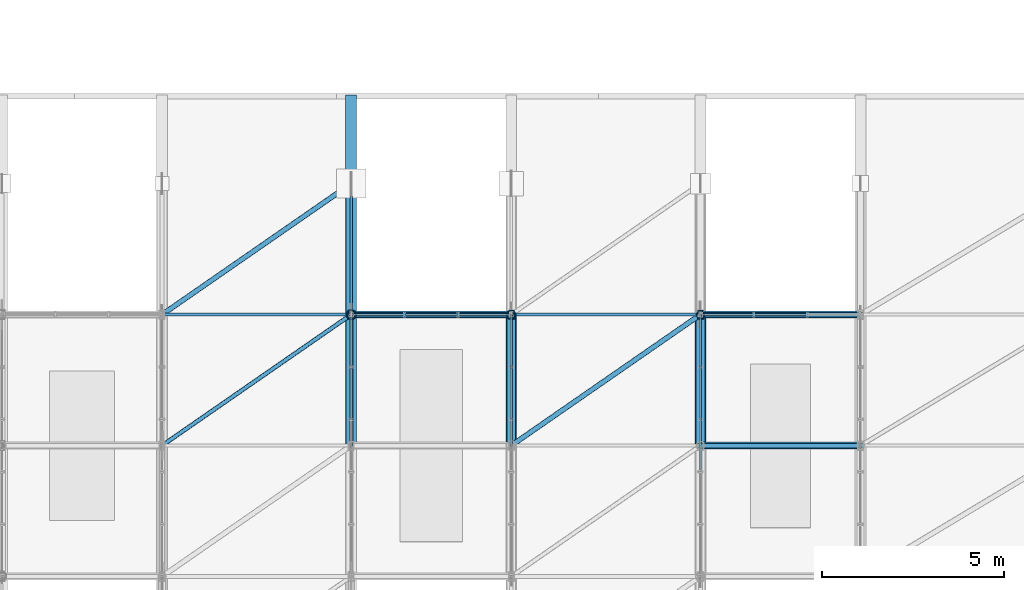
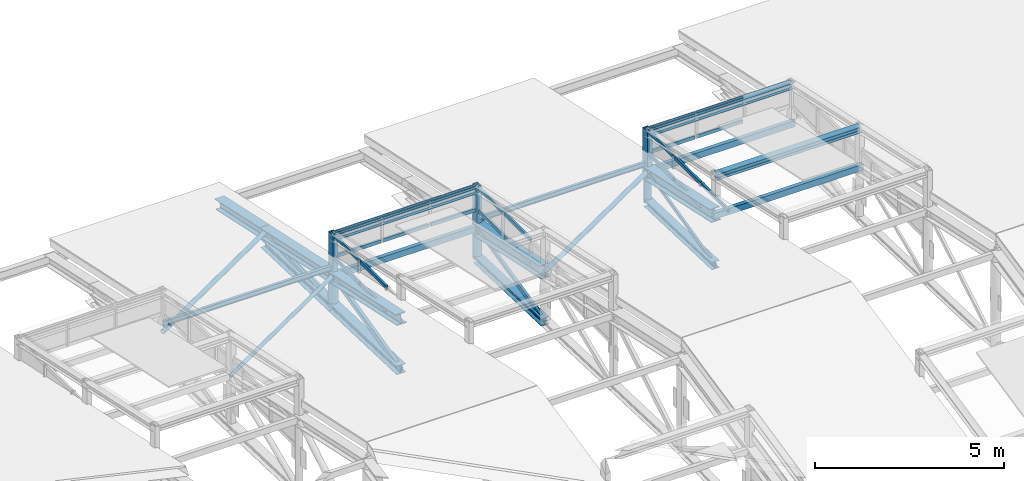
# One storey, part 41 of 124: 53 members, 5 elements without a shape of their own.
"""IFC4 building model written with IfcOpenShell, lengths in metres."""

from ifc_helpers import new_model, si_unit, direction, frame, origin, origin_2d, place, context, subcontext, project, spatial, hollow_rectangle, hollow_circle, i_section, extrude, material, layer, layer_set, material_profile, profile_set, type_object, element, aggregate, save


model = new_model("IFC4")

# Units and contexts
model_context = context("Model", 3, precision=1e-05, world=origin(), true_north=direction((0.0, 1.0)))
body_context = subcontext(model_context, "Body", "Model", "MODEL_VIEW")
ifc_project = project(units=[si_unit("LENGTHUNIT", "METRE"), si_unit("AREAUNIT", "SQUARE_METRE"), si_unit("VOLUMEUNIT", "CUBIC_METRE"), si_unit("PLANEANGLEUNIT", "RADIAN"), si_unit("MASSUNIT", "GRAM", prefix="KILO"), si_unit("THERMODYNAMICTEMPERATUREUNIT", "KELVIN"), si_unit("POWERUNIT", "WATT")], contexts=[model_context])

# Site, building, storey
site_placement = place(None, origin())
site = spatial("IfcSite", under=ifc_project, at=site_placement, CompositionType="ELEMENT")
building_placement = place(site_placement, origin())
building = spatial("IfcBuilding", under=site, at=building_placement, Name="Tavuni Mirador Residences", CompositionType="ELEMENT")
storey_placement = place(building_placement, frame((0.0, 0.0, 7.64990234375)))
storey = spatial("IfcBuildingStorey", under=building, at=storey_placement, Name="L02", CompositionType="ELEMENT", Elevation=7.64990234375)

# Curtain wall, members
ifc_material_1 = material(Name="Anodised aluminium", Category="aluminium")
ifc_layer = layer(ifc_material_1, 0.199951171875, Name="Anodised aluminium", Category="aluminium")
ifc_layer_set = layer_set([ifc_layer], Name="Anodised aluminium")
curtain_wall_type = type_object("IfcCurtainWallType", Name="CWT-HAL-01", PredefinedType="NOTDEFINED", material=ifc_layer_set)
curtain_wall_1_placement = place(storey_placement, origin())
curtain_wall_1 = element("IfcCurtainWall", 1, at=curtain_wall_1_placement, inside=storey, type_object=curtain_wall_type, Name="CW-HALL-MON-N2-W", PredefinedType="NOTDEFINED")
ifc_material_profile_1 = material_profile(ifc_material_1, hollow_rectangle(XDim=0.06005859375, YDim=0.110107421875, WallThickness=0.00390625, at=origin_2d()), Name="ALU 60x110x4.0", Category="aluminium")
ifc_profile_set_1 = profile_set([ifc_material_profile_1], Name="Anodised aluminium")
member_type_1 = type_object("IfcMemberType", Name="CWT-110", PredefinedType="USERDEFINED", material=ifc_profile_set_1)
member_1_placement = place(storey_placement, frame((54.39990234375, 94.35009765625, 1.205078125), z_axis=(0.0, 1.0, 0.0), x_axis=(-1.0, 0.0, 0.0)))
member_1 = element("IfcMember", 2, at=member_1_placement, type_object=member_type_1, Name="CW-06 transom 4.1", ObjectType="TRANSOM", PredefinedType="USERDEFINED", context=body_context, shape_type="SweptSolid", body=[
    extrude(hollow_rectangle(XDim=0.06005859375, YDim=0.110107421875, WallThickness=0.00390625, at=origin_2d()), origin(), (0.0, 0.0, 1.0), 1.3798828125),
])
member_2_placement = place(storey_placement, frame((54.39990234375, 94.35009765625, 1.93505859375), z_axis=(0.0, 1.0, 0.0), x_axis=(-1.0, 0.0, 0.0)))
member_2 = element("IfcMember", 3, at=member_2_placement, type_object=member_type_1, Name="CW-06 transom 4.2", ObjectType="TRANSOM", PredefinedType="USERDEFINED", context=body_context, shape_type="SweptSolid", body=[
    extrude(hollow_rectangle(XDim=0.06005859375, YDim=0.110107421875, WallThickness=0.00390625, at=origin_2d()), origin(), (0.0, 0.0, 1.0), 1.3798828125),
])
member_3_placement = place(storey_placement, frame((54.39990234375, 95.7900390625, 1.205078125), z_axis=(0.0, 1.0, 0.0), x_axis=(-1.0, 0.0, 0.0)))
member_3 = element("IfcMember", 4, at=member_3_placement, type_object=member_type_1, Name="CW-06 transom 5.1", ObjectType="TRANSOM", PredefinedType="USERDEFINED", context=body_context, shape_type="SweptSolid", body=[
    extrude(hollow_rectangle(XDim=0.06005859375, YDim=0.110107421875, WallThickness=0.00390625, at=origin_2d()), origin(), (0.0, 0.0, 1.0), 1.349853515625),
])
member_4_placement = place(storey_placement, frame((54.39990234375, 95.7900390625, 1.93505859375), z_axis=(0.0, 1.0, 0.0), x_axis=(-1.0, 0.0, 0.0)))
member_4 = element("IfcMember", 5, at=member_4_placement, type_object=member_type_1, Name="CW-06 transom 5.2", ObjectType="TRANSOM", PredefinedType="USERDEFINED", context=body_context, shape_type="SweptSolid", body=[
    extrude(hollow_rectangle(XDim=0.06005859375, YDim=0.110107421875, WallThickness=0.00390625, at=origin_2d()), origin(), (0.0, 0.0, 1.0), 1.349853515625),
])
aggregate(curtain_wall_1, [member_1, member_2, member_3, member_4])

curtain_wall_2_placement = place(storey_placement, origin())
curtain_wall_2 = element("IfcCurtainWall", 6, at=curtain_wall_2_placement, inside=storey, type_object=curtain_wall_type, Name="CW-HALL-MON-N2-E", PredefinedType="NOTDEFINED")
member_5_placement = place(storey_placement, frame((58.800048828125, 94.35009765625, 1.205078125), z_axis=(0.0, 1.0, 0.0), x_axis=(-1.0, 0.0, 0.0)))
member_5 = element("IfcMember", 7, at=member_5_placement, type_object=member_type_1, Name="CW-06 transom 4.1", ObjectType="TRANSOM", PredefinedType="USERDEFINED", context=body_context, shape_type="SweptSolid", body=[
    extrude(hollow_rectangle(XDim=0.06005859375, YDim=0.110107421875, WallThickness=0.00390625, at=origin_2d()), origin(), (0.0, 0.0, 1.0), 1.3798828125),
])
member_6_placement = place(storey_placement, frame((58.800048828125, 94.35009765625, 1.93505859375), z_axis=(0.0, 1.0, 0.0), x_axis=(-1.0, 0.0, 0.0)))
member_6 = element("IfcMember", 8, at=member_6_placement, type_object=member_type_1, Name="CW-06 transom 4.2", ObjectType="TRANSOM", PredefinedType="USERDEFINED", context=body_context, shape_type="SweptSolid", body=[
    extrude(hollow_rectangle(XDim=0.06005859375, YDim=0.110107421875, WallThickness=0.00390625, at=origin_2d()), origin(), (0.0, 0.0, 1.0), 1.3798828125),
])
member_7_placement = place(storey_placement, frame((58.800048828125, 95.7900390625, 1.205078125), z_axis=(0.0, 1.0, 0.0), x_axis=(-1.0, 0.0, 0.0)))
member_7 = element("IfcMember", 9, at=member_7_placement, type_object=member_type_1, Name="CW-06 transom 5.1", ObjectType="TRANSOM", PredefinedType="USERDEFINED", context=body_context, shape_type="SweptSolid", body=[
    extrude(hollow_rectangle(XDim=0.06005859375, YDim=0.110107421875, WallThickness=0.00390625, at=origin_2d()), origin(), (0.0, 0.0, 1.0), 1.349853515625),
])
member_8_placement = place(storey_placement, frame((58.800048828125, 95.7900390625, 1.93505859375), z_axis=(0.0, 1.0, 0.0), x_axis=(-1.0, 0.0, 0.0)))
member_8 = element("IfcMember", 10, at=member_8_placement, type_object=member_type_1, Name="CW-06 transom 5.2", ObjectType="TRANSOM", PredefinedType="USERDEFINED", context=body_context, shape_type="SweptSolid", body=[
    extrude(hollow_rectangle(XDim=0.06005859375, YDim=0.110107421875, WallThickness=0.00390625, at=origin_2d()), origin(), (0.0, 0.0, 1.0), 1.349853515625),
])
aggregate(curtain_wall_2, [member_5, member_6, member_7, member_8])

curtain_wall_3_placement = place(storey_placement, origin())
curtain_wall_3 = element("IfcCurtainWall", 11, at=curtain_wall_3_placement, inside=storey, type_object=curtain_wall_type, Name="CW-HALL-MON-N2-END", PredefinedType="NOTDEFINED")
member_9_placement = place(storey_placement, frame((54.4599609375, 97.199951171875, 1.205078125), z_axis=(1.0, 0.0, 0.0), x_axis=(0.0, 1.0, 0.0)))
member_9 = element("IfcMember", 12, at=member_9_placement, type_object=member_type_1, Name="CW-06 transom 1.1", ObjectType="TRANSOM", PredefinedType="USERDEFINED", context=body_context, shape_type="SweptSolid", body=[
    extrude(hollow_rectangle(XDim=0.06005859375, YDim=0.110107421875, WallThickness=0.00390625, at=origin_2d()), origin(), (0.0, 0.0, 1.0), 1.376708984375),
])
member_10_placement = place(storey_placement, frame((54.4599609375, 97.199951171875, 1.93505859375), z_axis=(1.0, 0.0, 0.0), x_axis=(0.0, 1.0, 0.0)))
member_10 = element("IfcMember", 13, at=member_10_placement, type_object=member_type_1, Name="CW-06 transom 1.2", ObjectType="TRANSOM", PredefinedType="USERDEFINED", context=body_context, shape_type="SweptSolid", body=[
    extrude(hollow_rectangle(XDim=0.06005859375, YDim=0.110107421875, WallThickness=0.00390625, at=origin_2d()), origin(), (0.0, 0.0, 1.0), 1.376708984375),
])
member_11_placement = place(storey_placement, frame((55.896728515625, 97.199951171875, 1.205078125), z_axis=(1.0, 0.0, 0.0), x_axis=(0.0, 1.0, 0.0)))
member_11 = element("IfcMember", 14, at=member_11_placement, type_object=member_type_1, Name="CW-06 transom 2.1", ObjectType="TRANSOM", PredefinedType="USERDEFINED", context=body_context, shape_type="SweptSolid", body=[
    extrude(hollow_rectangle(XDim=0.06005859375, YDim=0.110107421875, WallThickness=0.00390625, at=origin_2d()), origin(), (0.0, 0.0, 1.0), 1.406494140625),
])
member_12_placement = place(storey_placement, frame((55.896728515625, 97.199951171875, 1.93505859375), z_axis=(1.0, 0.0, 0.0), x_axis=(0.0, 1.0, 0.0)))
member_12 = element("IfcMember", 15, at=member_12_placement, type_object=member_type_1, Name="CW-06 transom 2.2", ObjectType="TRANSOM", PredefinedType="USERDEFINED", context=body_context, shape_type="SweptSolid", body=[
    extrude(hollow_rectangle(XDim=0.06005859375, YDim=0.110107421875, WallThickness=0.00390625, at=origin_2d()), origin(), (0.0, 0.0, 1.0), 1.406494140625),
])
member_13_placement = place(storey_placement, frame((57.36328125, 97.199951171875, 1.205078125), z_axis=(1.0, 0.0, 0.0), x_axis=(0.0, 1.0, 0.0)))
member_13 = element("IfcMember", 16, at=member_13_placement, type_object=member_type_1, Name="CW-06 transom 3.1", ObjectType="TRANSOM", PredefinedType="USERDEFINED", context=body_context, shape_type="SweptSolid", body=[
    extrude(hollow_rectangle(XDim=0.06005859375, YDim=0.110107421875, WallThickness=0.00390625, at=origin_2d()), origin(), (0.0, 0.0, 1.0), 1.376708984375),
])
member_14_placement = place(storey_placement, frame((57.36328125, 97.199951171875, 1.93505859375), z_axis=(1.0, 0.0, 0.0), x_axis=(0.0, 1.0, 0.0)))
member_14 = element("IfcMember", 17, at=member_14_placement, type_object=member_type_1, Name="CW-06 transom 3.2", ObjectType="TRANSOM", PredefinedType="USERDEFINED", context=body_context, shape_type="SweptSolid", body=[
    extrude(hollow_rectangle(XDim=0.06005859375, YDim=0.110107421875, WallThickness=0.00390625, at=origin_2d()), origin(), (0.0, 0.0, 1.0), 1.376708984375),
])
aggregate(curtain_wall_3, [member_9, member_10, member_11, member_12, member_13, member_14])

curtain_wall_4_placement = place(storey_placement, origin())
curtain_wall_4 = element("IfcCurtainWall", 18, at=curtain_wall_4_placement, inside=storey, type_object=curtain_wall_type, Name="CW-HALL-MON-N3-W", PredefinedType="NOTDEFINED")
member_15_placement = place(storey_placement, frame((64.0, 92.909912109375, 1.93505859375), z_axis=(0.0, 1.0, 0.0), x_axis=(-1.0, 0.0, 0.0)))
member_15 = element("IfcMember", 19, at=member_15_placement, type_object=member_type_1, Name="CW-06 transom 3.2", ObjectType="TRANSOM", PredefinedType="USERDEFINED", context=body_context, shape_type="SweptSolid", body=[
    extrude(hollow_rectangle(XDim=0.06005859375, YDim=0.110107421875, WallThickness=0.00390625, at=origin_2d()), origin(), (0.0, 0.0, 1.0), 1.380126953125),
])
member_16_placement = place(storey_placement, frame((64.0, 94.35009765625, 1.205078125), z_axis=(0.0, 1.0, 0.0), x_axis=(-1.0, 0.0, 0.0)))
member_16 = element("IfcMember", 20, at=member_16_placement, type_object=member_type_1, Name="CW-06 transom 4.1", ObjectType="TRANSOM", PredefinedType="USERDEFINED", context=body_context, shape_type="SweptSolid", body=[
    extrude(hollow_rectangle(XDim=0.06005859375, YDim=0.110107421875, WallThickness=0.00390625, at=origin_2d()), origin(), (0.0, 0.0, 1.0), 1.3798828125),
])
member_17_placement = place(storey_placement, frame((64.0, 94.35009765625, 1.93505859375), z_axis=(0.0, 1.0, 0.0), x_axis=(-1.0, 0.0, 0.0)))
member_17 = element("IfcMember", 21, at=member_17_placement, type_object=member_type_1, Name="CW-06 transom 4.2", ObjectType="TRANSOM", PredefinedType="USERDEFINED", context=body_context, shape_type="SweptSolid", body=[
    extrude(hollow_rectangle(XDim=0.06005859375, YDim=0.110107421875, WallThickness=0.00390625, at=origin_2d()), origin(), (0.0, 0.0, 1.0), 1.3798828125),
])
member_18_placement = place(storey_placement, frame((64.0, 95.7900390625, 1.205078125), z_axis=(0.0, 1.0, 0.0), x_axis=(-1.0, 0.0, 0.0)))
member_18 = element("IfcMember", 22, at=member_18_placement, type_object=member_type_1, Name="CW-06 transom 5.1", ObjectType="TRANSOM", PredefinedType="USERDEFINED", context=body_context, shape_type="SweptSolid", body=[
    extrude(hollow_rectangle(XDim=0.06005859375, YDim=0.110107421875, WallThickness=0.00390625, at=origin_2d()), origin(), (0.0, 0.0, 1.0), 1.349853515625),
])
member_19_placement = place(storey_placement, frame((64.0, 95.7900390625, 1.93505859375), z_axis=(0.0, 1.0, 0.0), x_axis=(-1.0, 0.0, 0.0)))
member_19 = element("IfcMember", 23, at=member_19_placement, type_object=member_type_1, Name="CW-06 transom 5.2", ObjectType="TRANSOM", PredefinedType="USERDEFINED", context=body_context, shape_type="SweptSolid", body=[
    extrude(hollow_rectangle(XDim=0.06005859375, YDim=0.110107421875, WallThickness=0.00390625, at=origin_2d()), origin(), (0.0, 0.0, 1.0), 1.349853515625),
])
aggregate(curtain_wall_4, [member_15, member_16, member_17, member_18, member_19])

curtain_wall_5_placement = place(storey_placement, origin())
curtain_wall_5 = element("IfcCurtainWall", 24, at=curtain_wall_5_placement, inside=storey, type_object=curtain_wall_type, Name="CW-HALL-MON-N3-END", PredefinedType="NOTDEFINED")
member_20_placement = place(storey_placement, frame((64.06005859375, 97.199951171875, 1.205078125), z_axis=(1.0, 0.0, 0.0), x_axis=(0.0, 1.0, 0.0)))
member_20 = element("IfcMember", 25, at=member_20_placement, type_object=member_type_1, Name="CW-06 transom 1.1", ObjectType="TRANSOM", PredefinedType="USERDEFINED", context=body_context, shape_type="SweptSolid", body=[
    extrude(hollow_rectangle(XDim=0.06005859375, YDim=0.110107421875, WallThickness=0.00390625, at=origin_2d()), origin(), (0.0, 0.0, 1.0), 1.376708984375),
])
member_21_placement = place(storey_placement, frame((64.06005859375, 97.199951171875, 1.93505859375), z_axis=(1.0, 0.0, 0.0), x_axis=(0.0, 1.0, 0.0)))
member_21 = element("IfcMember", 26, at=member_21_placement, type_object=member_type_1, Name="CW-06 transom 1.2", ObjectType="TRANSOM", PredefinedType="USERDEFINED", context=body_context, shape_type="SweptSolid", body=[
    extrude(hollow_rectangle(XDim=0.06005859375, YDim=0.110107421875, WallThickness=0.00390625, at=origin_2d()), origin(), (0.0, 0.0, 1.0), 1.376708984375),
])
member_22_placement = place(storey_placement, frame((65.49658203125, 97.199951171875, 1.205078125), z_axis=(1.0, 0.0, 0.0), x_axis=(0.0, 1.0, 0.0)))
member_22 = element("IfcMember", 27, at=member_22_placement, type_object=member_type_1, Name="CW-06 transom 2.1", ObjectType="TRANSOM", PredefinedType="USERDEFINED", context=body_context, shape_type="SweptSolid", body=[
    extrude(hollow_rectangle(XDim=0.06005859375, YDim=0.110107421875, WallThickness=0.00390625, at=origin_2d()), origin(), (0.0, 0.0, 1.0), 1.40673828125),
])
member_23_placement = place(storey_placement, frame((65.49658203125, 97.199951171875, 1.93505859375), z_axis=(1.0, 0.0, 0.0), x_axis=(0.0, 1.0, 0.0)))
member_23 = element("IfcMember", 28, at=member_23_placement, type_object=member_type_1, Name="CW-06 transom 2.2", ObjectType="TRANSOM", PredefinedType="USERDEFINED", context=body_context, shape_type="SweptSolid", body=[
    extrude(hollow_rectangle(XDim=0.06005859375, YDim=0.110107421875, WallThickness=0.00390625, at=origin_2d()), origin(), (0.0, 0.0, 1.0), 1.40673828125),
])
aggregate(curtain_wall_5, [member_20, member_21, member_22, member_23])

# Members
ifc_material_2 = material(Name="Structural steel S355", Category="steel")
ifc_material_profile_2 = material_profile(ifc_material_2, hollow_circle(Radius=0.05712890625, WallThickness=0.00634765625, at=origin_2d()), Name="CHS 114.3x6.3", Category="steel")
ifc_profile_set_2 = profile_set([ifc_material_profile_2], Name="Structural steel S355")
member_type_2 = type_object("IfcMemberType", Name="MT-BR-CHS114", PredefinedType="BRACE", material=ifc_profile_set_2)
member_24_placement = place(storey_placement, frame((49.199951171875, 93.60009765625, 1.380126953125), z_axis=(0.816093743488, 0.564970291926, -0.121653487749), x_axis=(-0.569197934703, 0.822200529755, 0.0)))
element("IfcMember", 29, at=member_24_placement, inside=storey, type_object=member_type_2, Name="HALL-RB-2-07", PredefinedType="BRACE", context=body_context, shape_type="SweptSolid", body=[
    extrude(hollow_circle(Radius=0.05712890625, WallThickness=0.00634765625, at=origin_2d()), origin(), (0.0, 0.0, 1.0), 6.371826171875),
])
ifc_material_profile_3 = material_profile(ifc_material_2, hollow_circle(Radius=0.06982421875, WallThickness=0.008056640625, at=origin_2d()), Name="CHS 139.7x8.0", Category="steel")
ifc_profile_set_3 = profile_set([ifc_material_profile_3], Name="Structural steel S355")
member_type_3 = type_object("IfcMemberType", Name="MT-BR-CHS139", PredefinedType="BRACE", material=ifc_profile_set_3)
for number, where, z_axis, x_axis, name in (
    (30, (49.199951171875, 97.199951171875, 0.60498046875), (0.81607988035, 0.564999010077, -0.12161310579), (-0.569224029849, 0.822182463838, 0.0), "HALL-RB-2-08"),
    (31, (58.800048828125, 93.60009765625, 1.380126953125), (0.816093743488, 0.564970291926, -0.121653487749), (-0.569197934703, 0.822200529755, 0.0), "HALL-RB-3-07"),
):
    element("IfcMember", number, at=place(storey_placement, frame(where, z_axis=z_axis, x_axis=x_axis)), inside=storey, type_object=member_type_3, Name=name, PredefinedType="BRACE", context=body_context, shape_type="SweptSolid", body=[
        extrude(hollow_circle(Radius=0.06982421875, WallThickness=0.008056640625, at=origin_2d()), origin(), (0.0, 0.0, 1.0), 6.371826171875),
    ])
ifc_material_profile_4 = material_profile(ifc_material_2, hollow_rectangle(XDim=0.06005859375, YDim=0.10009765625, WallThickness=0.0048828125, at=origin_2d()), Name="RHS 100x60x5.0", Category="steel")
ifc_profile_set_4 = profile_set([ifc_material_profile_4], Name="Structural steel S355")
member_type_4 = type_object("IfcMemberType", Name="MT-BR-RHS100", PredefinedType="BRACE", material=ifc_profile_set_4)
member_25_placement = place(storey_placement, frame((64.0, 93.60009765625, -0.25), z_axis=(0.0, 0.972935623557, 0.231076334601), x_axis=(-1.0, 0.0, 0.0)))
element("IfcMember", 32, at=member_25_placement, inside=storey, type_object=member_type_4, Name="Roof truss TR-6 web diagonal 7", PredefinedType="BRACE", context=body_context, shape_type="SweptSolid", body=[
    extrude(hollow_rectangle(XDim=0.06005859375, YDim=0.10009765625, WallThickness=0.0048828125, at=origin_2d()), origin(), (0.0, 0.0, 1.0), 3.699951171875),
])
ifc_material_profile_5 = material_profile(ifc_material_2, hollow_rectangle(XDim=0.080078125, YDim=0.1201171875, WallThickness=0.00634765625, at=origin_2d()), Name="RHS 120x80x6.3", Category="steel")
ifc_profile_set_5 = profile_set([ifc_material_profile_5], Name="Structural steel S355")
member_type_5 = type_object("IfcMemberType", Name="MT-BR-RHS120", PredefinedType="BRACE", material=ifc_profile_set_5)
member_26_placement = place(storey_placement, frame((54.39990234375, 97.199951171875, -0.375), z_axis=(0.0, 0.998381455169, 0.05687240081), x_axis=(-1.0, 0.0, 0.0)))
element("IfcMember", 33, at=member_26_placement, inside=storey, type_object=member_type_5, Name="Roof truss TR-4 web diagonal 8", PredefinedType="BRACE", context=body_context, shape_type="SweptSolid", body=[
    extrude(hollow_rectangle(XDim=0.080078125, YDim=0.1201171875, WallThickness=0.00634765625, at=origin_2d()), origin(), (0.0, 0.0, 1.0), 3.60595703125),
])
member_27_placement = place(storey_placement, frame((58.800048828125, 93.60009765625, -0.25), z_axis=(0.0, 0.972935623557, 0.231076334601), x_axis=(-1.0, 0.0, 0.0)))
element("IfcMember", 34, at=member_27_placement, inside=storey, type_object=member_type_5, Name="Roof truss TR-5 web diagonal 7", PredefinedType="BRACE", context=body_context, shape_type="SweptSolid", body=[
    extrude(hollow_rectangle(XDim=0.080078125, YDim=0.1201171875, WallThickness=0.00634765625, at=origin_2d()), origin(), (0.0, 0.0, 1.0), 3.699951171875),
])
ifc_material_profile_6 = material_profile(ifc_material_2, hollow_rectangle(XDim=0.10009765625, YDim=0.14990234375, WallThickness=0.008056640625, at=origin_2d()), Name="RHS 150x100x8.0", Category="steel")
ifc_profile_set_6 = profile_set([ifc_material_profile_6], Name="Structural steel S355")
member_type_6 = type_object("IfcMemberType", Name="MT-BR-RHS150", PredefinedType="BRACE", material=ifc_profile_set_6)
member_28_placement = place(storey_placement, frame((54.39990234375, 93.60009765625, -0.25), z_axis=(0.0, 0.972935623557, 0.231076334601), x_axis=(-1.0, 0.0, 0.0)))
element("IfcMember", 35, at=member_28_placement, inside=storey, type_object=member_type_6, Name="Roof truss TR-4 web diagonal 7", PredefinedType="BRACE", context=body_context, shape_type="SweptSolid", body=[
    extrude(hollow_rectangle(XDim=0.10009765625, YDim=0.14990234375, WallThickness=0.008056640625, at=origin_2d()), origin(), (0.0, 0.0, 1.0), 3.699951171875),
])
ifc_material_profile_7 = material_profile(ifc_material_2, i_section(OverallWidth=0.239990234375, OverallDepth=0.22998046875, WebThickness=0.007568359375, FlangeThickness=0.011962890625, FilletRadius=0.02099609375, at=origin_2d()), Name="HEA 240", Category="steel")
ifc_profile_set_7 = profile_set([ifc_material_profile_7], Name="Structural steel S355")
member_type_7 = type_object("IfcMemberType", Name="MT-CH-HEA240", PredefinedType="CHORD", material=ifc_profile_set_7)
for number, where, z_axis, x_axis, name in (
    (36, (58.800048828125, 93.60009765625, -0.25), (0.0, 0.999397679205, -0.034702720363), (-1.0, 0.0, 0.0), "Roof truss TR-5 bottom chord 7"),
    (37, (64.0, 93.60009765625, -0.25), (0.0, 0.999397679205, -0.034702720363), (-1.0, 0.0, 0.0), "Roof truss TR-6 bottom chord 7"),
):
    element("IfcMember", number, at=place(storey_placement, frame(where, z_axis=z_axis, x_axis=x_axis)), inside=storey, type_object=member_type_7, Name=name, PredefinedType="CHORD", context=body_context, shape_type="SweptSolid", body=[
        extrude(i_section(OverallWidth=0.239990234375, OverallDepth=0.22998046875, WebThickness=0.007568359375, FlangeThickness=0.011962890625, FilletRadius=0.02099609375, at=origin_2d()), origin(), (0.0, 0.0, 1.0), 3.60205078125),
    ])
ifc_material_profile_8 = material_profile(ifc_material_2, i_section(OverallWidth=0.280029296875, OverallDepth=0.27001953125, WebThickness=0.008056640625, FlangeThickness=0.012939453125, FilletRadius=0.02392578125, at=origin_2d()), Name="HEA 280", Category="steel")
ifc_profile_set_8 = profile_set([ifc_material_profile_8], Name="Structural steel S355")
member_type_8 = type_object("IfcMemberType", Name="MT-CH-HEA280", PredefinedType="CHORD", material=ifc_profile_set_8)
member_29_placement = place(storey_placement, frame((54.39990234375, 93.60009765625, -0.25), z_axis=(0.0, 0.999397679205, -0.034702720363), x_axis=(-1.0, 0.0, 0.0)))
element("IfcMember", 38, at=member_29_placement, inside=storey, type_object=member_type_8, Name="Roof truss TR-4 bottom chord 7", PredefinedType="CHORD", context=body_context, shape_type="SweptSolid", body=[
    extrude(i_section(OverallWidth=0.280029296875, OverallDepth=0.27001953125, WebThickness=0.008056640625, FlangeThickness=0.012939453125, FilletRadius=0.02392578125, at=origin_2d()), origin(), (0.0, 0.0, 1.0), 3.60205078125),
])
member_30_placement = place(storey_placement, frame((54.39990234375, 97.199951171875, -0.375), z_axis=(0.0, 0.999397760821, -0.034700369832), x_axis=(-1.0, 0.0, 0.0)))
element("IfcMember", 39, at=member_30_placement, inside=storey, type_object=member_type_8, Name="Roof truss TR-4 bottom chord 8", PredefinedType="CHORD", context=body_context, shape_type="SweptSolid", body=[
    extrude(i_section(OverallWidth=0.280029296875, OverallDepth=0.27001953125, WebThickness=0.008056640625, FlangeThickness=0.012939453125, FilletRadius=0.02392578125, at=origin_2d()), origin(), (0.0, 0.0, 1.0), 3.602294921875),
])
ifc_material_profile_9 = material_profile(ifc_material_2, i_section(OverallWidth=0.300048828125, OverallDepth=0.389892578125, WebThickness=0.010986328125, FlangeThickness=0.01904296875, FilletRadius=0.027099609375, at=origin_2d()), Name="HEA 400", Category="steel")
ifc_profile_set_9 = profile_set([ifc_material_profile_9], Name="Structural steel S355")
member_type_9 = type_object("IfcMemberType", Name="MT-CH-HEA400", PredefinedType="CHORD", material=ifc_profile_set_9)
for number, where, z_axis, x_axis, name in (
    (40, (58.800048828125, 93.60009765625, 1.380126953125), (0.0, 0.977593327089, -0.210502462768), (-1.0, 0.0, 0.0), "Roof truss TR-5 top chord 7"),
    (41, (64.0, 93.60009765625, 1.380126953125), (0.0, 0.977593327089, -0.210502462768), (-1.0, 0.0, 0.0), "Roof truss TR-6 top chord 7"),
):
    element("IfcMember", number, at=place(storey_placement, frame(where, z_axis=z_axis, x_axis=x_axis)), inside=storey, type_object=member_type_9, Name=name, PredefinedType="CHORD", context=body_context, shape_type="SweptSolid", body=[
        extrude(i_section(OverallWidth=0.300048828125, OverallDepth=0.389892578125, WebThickness=0.010986328125, FlangeThickness=0.01904296875, FilletRadius=0.027099609375, at=origin_2d()), origin(), (0.0, 0.0, 1.0), 3.682373046875),
    ])
ifc_material_profile_10 = material_profile(ifc_material_2, i_section(OverallWidth=0.300048828125, OverallDepth=0.320068359375, WebThickness=0.011474609375, FlangeThickness=0.0205078125, FilletRadius=0.027099609375, at=origin_2d()), Name="HEB 320", Category="steel")
ifc_profile_set_10 = profile_set([ifc_material_profile_10], Name="Structural steel S355")
member_type_10 = type_object("IfcMemberType", Name="MT-CH-HEB320", PredefinedType="CHORD", material=ifc_profile_set_10)
member_31_placement = place(storey_placement, frame((54.39990234375, 100.800048828125, -0.169921875), z_axis=(0.0, 0.977606968822, -0.210439099291), x_axis=(-1.0, 0.0, 0.0)))
element("IfcMember", 42, at=member_31_placement, inside=storey, type_object=member_type_10, Name="Roof truss TR-4 north eave chord", PredefinedType="CHORD", context=body_context, shape_type="SweptSolid", body=[
    extrude(i_section(OverallWidth=0.300048828125, OverallDepth=0.320068359375, WebThickness=0.011474609375, FlangeThickness=0.0205078125, FilletRadius=0.027099609375, at=origin_2d()), origin(), (0.0, 0.0, 1.0), 2.454833984375),
])
member_32_placement = place(storey_placement, frame((54.39990234375, 93.60009765625, 1.380126953125), z_axis=(0.0, 0.977593327089, -0.210502462768), x_axis=(-1.0, 0.0, 0.0)))
element("IfcMember", 43, at=member_32_placement, inside=storey, type_object=member_type_10, Name="Roof truss TR-4 top chord 7", PredefinedType="CHORD", context=body_context, shape_type="SweptSolid", body=[
    extrude(i_section(OverallWidth=0.300048828125, OverallDepth=0.320068359375, WebThickness=0.011474609375, FlangeThickness=0.0205078125, FilletRadius=0.027099609375, at=origin_2d()), origin(), (0.0, 0.0, 1.0), 3.682373046875),
])
member_33_placement = place(storey_placement, frame((54.39990234375, 97.199951171875, 0.60498046875), z_axis=(0.0, 0.977609904647, -0.210425460284), x_axis=(-1.0, 0.0, 0.0)))
element("IfcMember", 44, at=member_33_placement, inside=storey, type_object=member_type_10, Name="Roof truss TR-4 top chord 8", PredefinedType="CHORD", context=body_context, shape_type="SweptSolid", body=[
    extrude(i_section(OverallWidth=0.300048828125, OverallDepth=0.320068359375, WebThickness=0.011474609375, FlangeThickness=0.0205078125, FilletRadius=0.027099609375, at=origin_2d()), origin(), (0.0, 0.0, 1.0), 3.6826171875),
])
ifc_material_profile_11 = material_profile(ifc_material_2, i_section(OverallWidth=0.199951171875, OverallDepth=0.18994140625, WebThickness=0.006591796875, FlangeThickness=0.010009765625, FilletRadius=0.01806640625, at=origin_2d()), Name="HEA 200", Category="steel")
ifc_profile_set_11 = profile_set([ifc_material_profile_11], Name="Structural steel S355")
member_type_11 = type_object("IfcMemberType", Name="MT-PR-HEA200", PredefinedType="PURLIN", material=ifc_profile_set_11)
member_34_placement = place(storey_placement, frame((54.39990234375, 97.199951171875, 1.864990234375), z_axis=(1.0, 0.0, 0.0), x_axis=(0.0, 1.0, 0.0)))
element("IfcMember", 45, at=member_34_placement, inside=storey, type_object=member_type_11, Name="HALL-MPUR-2-N-3", PredefinedType="PURLIN", context=body_context, shape_type="SweptSolid", body=[
    extrude(i_section(OverallWidth=0.199951171875, OverallDepth=0.18994140625, WebThickness=0.006591796875, FlangeThickness=0.010009765625, FilletRadius=0.01806640625, at=origin_2d()), origin(), (0.0, 0.0, 1.0), 4.400146484375),
])
for number, where, z_axis, x_axis, name in (
    (46, (64.0, 93.60009765625, 2.64013671875), (1.0, 0.0, 0.0), (0.0, 1.0, 0.0), "HALL-MPUR-3-N-2"),
    (47, (64.0, 97.199951171875, 1.864990234375), (1.0, 0.0, 0.0), (0.0, 1.0, 0.0), "HALL-MPUR-3-N-3"),
):
    element("IfcMember", number, at=place(storey_placement, frame(where, z_axis=z_axis, x_axis=x_axis)), inside=storey, type_object=member_type_11, Name=name, PredefinedType="PURLIN", context=body_context, shape_type="SweptSolid", body=[
        extrude(i_section(OverallWidth=0.199951171875, OverallDepth=0.18994140625, WebThickness=0.006591796875, FlangeThickness=0.010009765625, FilletRadius=0.01806640625, at=origin_2d()), origin(), (0.0, 0.0, 1.0), 4.39990234375),
    ])
ifc_material_profile_12 = material_profile(ifc_material_2, i_section(OverallWidth=0.08203125, OverallDepth=0.159912109375, WebThickness=0.0048828125, FlangeThickness=0.00732421875, FilletRadius=0.009033203125, at=origin_2d()), Name="IPE 160", Category="steel")
ifc_profile_set_12 = profile_set([ifc_material_profile_12], Name="Structural steel S355")
member_type_12 = type_object("IfcMemberType", Name="MT-PR-IPE160", PredefinedType="PURLIN", material=ifc_profile_set_12)
for number, where, z_axis, x_axis, name in (
    (48, (49.199951171875, 97.199951171875, 0.8701171875), (1.0, 0.0, 0.0), (0.0, 1.0, 0.0), "HALL-PUR-06-S2-1"),
    (49, (58.800048828125, 97.199951171875, 0.8701171875), (1.0, 0.0, 0.0), (0.0, 1.0, 0.0), "HALL-PUR-06-S3-1"),
):
    element("IfcMember", number, at=place(storey_placement, frame(where, z_axis=z_axis, x_axis=x_axis)), inside=storey, type_object=member_type_12, Name=name, PredefinedType="PURLIN", context=body_context, shape_type="SweptSolid", body=[
        extrude(i_section(OverallWidth=0.08203125, OverallDepth=0.159912109375, WebThickness=0.0048828125, FlangeThickness=0.00732421875, FilletRadius=0.009033203125, at=origin_2d()), origin(), (0.0, 0.0, 1.0), 5.199951171875),
    ])
ifc_material_profile_13 = material_profile(ifc_material_2, hollow_circle(Radius=0.109619140625, WallThickness=0.010009765625, at=origin_2d()), Name="CHS 219.1x10.0", Category="steel")
ifc_profile_set_13 = profile_set([ifc_material_profile_13], Name="Structural steel S355")
member_type_13 = type_object("IfcMemberType", Name="MT-ST-CHS219", PredefinedType="STRUT", material=ifc_profile_set_13)
member_35_placement = place(storey_placement, frame((64.0, 97.199951171875, -0.375), z_axis=(0.0, 0.0, 1.0), x_axis=(1.0, 0.0, 0.0)))
element("IfcMember", 50, at=member_35_placement, inside=storey, type_object=member_type_13, Name="Roof truss TR-6 vertical 8", PredefinedType="STRUT", context=body_context, shape_type="SweptSolid", body=[
    extrude(hollow_circle(Radius=0.109619140625, WallThickness=0.010009765625, at=origin_2d()), origin(), (0.0, 0.0, 1.0), 0.97998046875),
])
ifc_material_profile_14 = material_profile(ifc_material_2, hollow_circle(Radius=0.122314453125, WallThickness=0.012451171875, at=origin_2d()), Name="CHS 244.5x12.5", Category="steel")
ifc_profile_set_14 = profile_set([ifc_material_profile_14], Name="Structural steel S355")
member_type_14 = type_object("IfcMemberType", Name="MT-ST-CHS244", PredefinedType="STRUT", material=ifc_profile_set_14)
member_36_placement = place(storey_placement, frame((58.800048828125, 97.199951171875, -0.375), z_axis=(0.0, 0.0, 1.0), x_axis=(1.0, 0.0, 0.0)))
element("IfcMember", 51, at=member_36_placement, inside=storey, type_object=member_type_14, Name="Roof truss TR-5 vertical 8", PredefinedType="STRUT", context=body_context, shape_type="SweptSolid", body=[
    extrude(hollow_circle(Radius=0.122314453125, WallThickness=0.012451171875, at=origin_2d()), origin(), (0.0, 0.0, 1.0), 0.97998046875),
])
ifc_material_profile_15 = material_profile(ifc_material_2, hollow_circle(Radius=0.136474609375, WallThickness=0.012451171875, at=origin_2d()), Name="CHS 273.0x12.5", Category="steel")
ifc_profile_set_15 = profile_set([ifc_material_profile_15], Name="Structural steel S355")
member_type_15 = type_object("IfcMemberType", Name="MT-ST-CHS273", PredefinedType="STRUT", material=ifc_profile_set_15)
member_37_placement = place(storey_placement, frame((54.39990234375, 97.199951171875, -0.375), z_axis=(0.0, 0.0, 1.0), x_axis=(1.0, 0.0, 0.0)))
element("IfcMember", 52, at=member_37_placement, inside=storey, type_object=member_type_15, Name="Roof truss TR-4 vertical 8", PredefinedType="STRUT", context=body_context, shape_type="SweptSolid", body=[
    extrude(hollow_circle(Radius=0.136474609375, WallThickness=0.012451171875, at=origin_2d()), origin(), (0.0, 0.0, 1.0), 0.97998046875),
])
ifc_material_profile_16 = material_profile(ifc_material_2, hollow_rectangle(XDim=0.1201171875, YDim=0.199951171875, WallThickness=0.010009765625, at=origin_2d()), Name="RHS 200x120x10.0", Category="steel")
ifc_profile_set_16 = profile_set([ifc_material_profile_16], Name="Structural steel S355")
member_type_16 = type_object("IfcMemberType", Name="MT-ST-RHS200", PredefinedType="STRUT", material=ifc_profile_set_16)
member_38_placement = place(storey_placement, frame((54.320068359375, 97.199951171875, 0.60498046875), z_axis=(1.0, 0.0, 0.0), x_axis=(0.0, 1.0, 0.0)))
element("IfcMember", 53, at=member_38_placement, inside=storey, type_object=member_type_16, Name="HALL-MTIE-2-07", PredefinedType="STRUT", context=body_context, shape_type="SweptSolid", body=[
    extrude(hollow_rectangle(XDim=0.1201171875, YDim=0.199951171875, WallThickness=0.010009765625, at=origin_2d()), origin(), (0.0, 0.0, 1.0), 4.559814453125),
])
for number, where, z_axis, x_axis, name in (
    (54, (63.919921875, 93.60009765625, 1.380126953125), (1.0, 0.0, 0.0), (0.0, 1.0, 0.0), "HALL-MTIE-3-06"),
    (55, (63.919921875, 97.199951171875, 0.60498046875), (1.0, 0.0, 0.0), (0.0, 1.0, 0.0), "HALL-MTIE-3-07"),
):
    element("IfcMember", number, at=place(storey_placement, frame(where, z_axis=z_axis, x_axis=x_axis)), inside=storey, type_object=member_type_16, Name=name, PredefinedType="STRUT", context=body_context, shape_type="SweptSolid", body=[
        extrude(hollow_rectangle(XDim=0.1201171875, YDim=0.199951171875, WallThickness=0.010009765625, at=origin_2d()), origin(), (0.0, 0.0, 1.0), 4.56005859375),
    ])
ifc_material_profile_17 = material_profile(ifc_material_2, hollow_rectangle(XDim=0.14990234375, YDim=0.25, WallThickness=0.010009765625, at=origin_2d()), Name="RHS 250x150x10.0", Category="steel")
ifc_profile_set_17 = profile_set([ifc_material_profile_17], Name="Structural steel S355")
member_type_17 = type_object("IfcMemberType", Name="MT-ST-RHS250", PredefinedType="STRUT", material=ifc_profile_set_17)
for number, where, z_axis, x_axis, name in (
    (56, (54.39990234375, 97.199951171875, 0.485107421875), (0.0, 0.0, 1.0), (1.0, 0.0, 0.0), "HALL-MPST-2-N-W3"),
    (57, (58.800048828125, 97.199951171875, 0.485107421875), (0.0, 0.0, 1.0), (1.0, 0.0, 0.0), "HALL-MPST-2-N-E3"),
    (58, (64.0, 97.199951171875, 0.485107421875), (0.0, 0.0, 1.0), (1.0, 0.0, 0.0), "HALL-MPST-3-N-W3"),
):
    element("IfcMember", number, at=place(storey_placement, frame(where, z_axis=z_axis, x_axis=x_axis)), inside=storey, type_object=member_type_17, Name=name, PredefinedType="STRUT", context=body_context, shape_type="SweptSolid", body=[
        extrude(hollow_rectangle(XDim=0.14990234375, YDim=0.25, WallThickness=0.010009765625, at=origin_2d()), origin(), (0.0, 0.0, 1.0), 1.489990234375),
    ])

save(model, "model.ifc")
